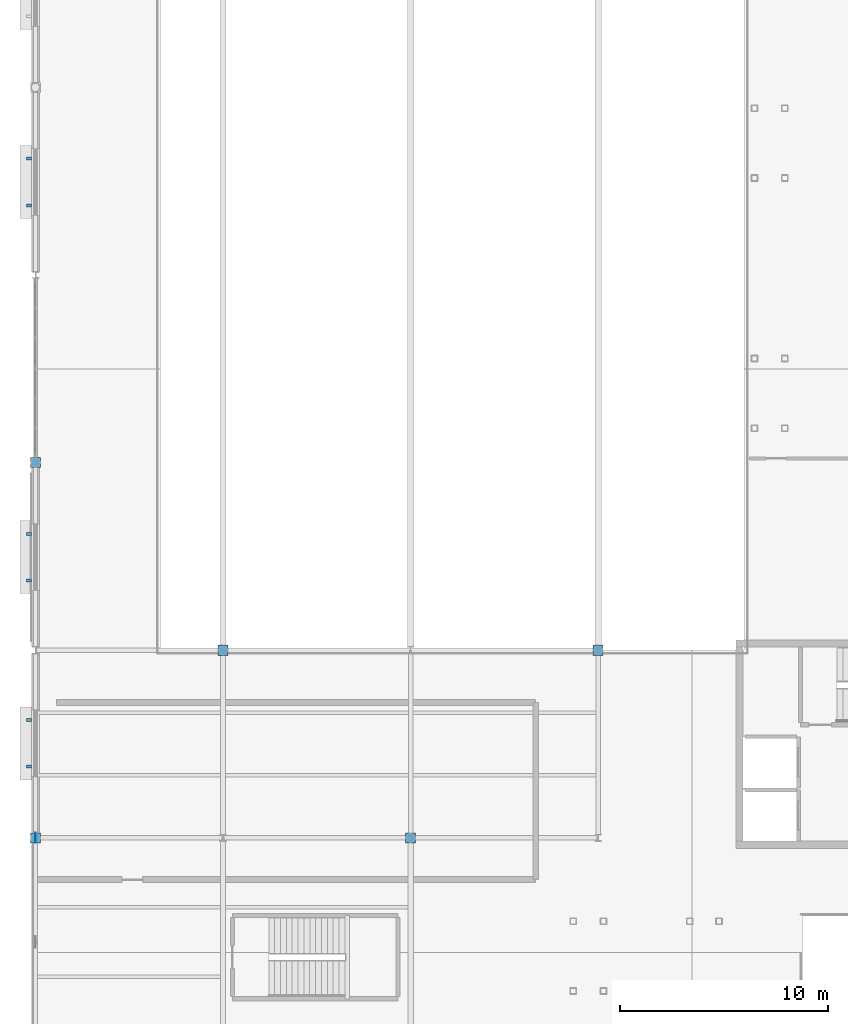
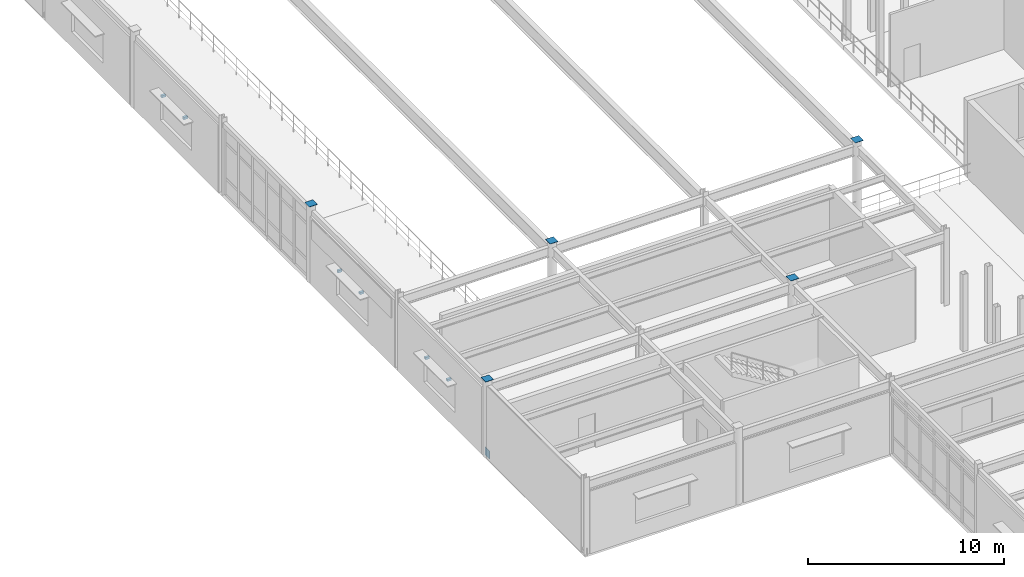
# One storey, part 74 of 86: 12 discrete accessories.
"""IFC4 building model written with IfcOpenShell, lengths in metres."""

import ifcopenshell
import ifcopenshell.guid

model = None  # the IFC model being written
_history = None  # IfcOwnerHistory: only IFC2X3 demands one
_inside = {}  # id of a spatial element -> (the spatial element, [elements in it])
_under = {}  # id of a project, library or spatial element -> (it, [spatial elements below it])
_declared = {}  # id of a project -> (the project, [libraries it declares])
_typed = {}  # id of a type object -> (the type object, [elements of that type])
_made_of = {}  # id of a material, layer set ... -> (it, [elements and type objects made of it])


def new_model(schema):
    """Start an empty IFC model of exactly this schema.

    Asked for "IFC4X3", IfcOpenShell would pick the latest addendum, in which some entities
    have other attributes; the version numbers below select the first issue.
    IFC2X3 requires an IfcOwnerHistory on every rooted entity: one is made here for all.
    """
    global model, _history
    if schema == "IFC4X3":
        model = ifcopenshell.file(schema_version=(4, 3, 0, 0))
    else:
        model = ifcopenshell.file(schema=schema)
    _inside.clear()
    _under.clear()
    _declared.clear()
    _typed.clear()
    _made_of.clear()
    _history = None
    if model.schema == "IFC2X3":
        org = make("IfcOrganization", Name="unknown")
        user = make(
            "IfcPersonAndOrganization",
            ThePerson=make("IfcPerson", FamilyName="unknown"),
            TheOrganization=org,
        )
        app = make(
            "IfcApplication",
            ApplicationDeveloper=org,
            Version="unknown",
            ApplicationFullName="unknown",
            ApplicationIdentifier="unknown",
        )
        _history = make(
            "IfcOwnerHistory",
            OwningUser=user,
            OwningApplication=app,
            ChangeAction="ADDED",
            CreationDate=0,
        )
    return model


def make(cls, **values):
    """One entity of the class cls with the attributes given. An attribute that is None is left unset."""
    return model.create_entity(
        cls, **{name: value for name, value in values.items() if value is not None}
    )


def rooted(cls, **values):
    """An entity with a GlobalId (a new one), such as an element, a storey or a relation."""
    return make(cls, GlobalId=ifcopenshell.guid.new(), OwnerHistory=_history, **values)


def si_unit(unit_type, name, prefix=None):
    """IfcSIUnit, for example si_unit("LENGTHUNIT", "METRE", prefix="MILLI")."""
    return make("IfcSIUnit", UnitType=unit_type, Prefix=prefix, Name=name)


def assignment(units):
    """IfcUnitAssignment: the units of a project."""
    return None if units is None else make("IfcUnitAssignment", Units=units)


def point(xyz):
    """IfcCartesianPoint."""
    return None if xyz is None else make("IfcCartesianPoint", Coordinates=xyz)


def direction(xyz):
    """IfcDirection."""
    return None if xyz is None else make("IfcDirection", DirectionRatios=xyz)


def frame(location, z_axis=None, x_axis=None):
    """IfcAxis2Placement3D, a coordinate frame: its origin and axes. An axis left out is left unset."""
    return make(
        "IfcAxis2Placement3D",
        Location=point(location),
        Axis=direction(z_axis),
        RefDirection=direction(x_axis),
    )


def frame_2d(location, x_axis=None):
    """IfcAxis2Placement2D, a coordinate frame in the plane: its origin and x axis."""
    return make(
        "IfcAxis2Placement2D", Location=point(location), RefDirection=direction(x_axis)
    )


def origin():
    """The frame at (0, 0, 0) with its axes left unset."""
    return frame((0.0, 0.0, 0.0))


def origin_2d():
    """The frame at (0, 0) in the plane with its x axis left unset."""
    return frame_2d((0.0, 0.0))


def place(relative_to, where):
    """IfcLocalPlacement: puts the frame where relative to a parent placement (None: the world)."""
    return make(
        "IfcLocalPlacement", PlacementRelTo=relative_to, RelativePlacement=where
    )


def context(
    kind, dimensions, precision=None, world=None, true_north=None, identifier=None
):
    """IfcGeometricRepresentationContext, for example the 3D "Model" context."""
    return make(
        "IfcGeometricRepresentationContext",
        ContextIdentifier=identifier,
        ContextType=kind,
        CoordinateSpaceDimension=dimensions,
        Precision=precision,
        WorldCoordinateSystem=world,
        TrueNorth=true_north,
    )


def subcontext(parent, identifier, kind, view, scale=None):
    """IfcGeometricRepresentationSubContext, for example "Body" below "Model"."""
    return make(
        "IfcGeometricRepresentationSubContext",
        ContextIdentifier=identifier,
        ContextType=kind,
        ParentContext=parent,
        TargetScale=scale,
        TargetView=view,
    )


def project(units=None, contexts=None):
    """IfcProject with its units and contexts."""
    return rooted(
        "IfcProject",
        Name="project",
        RepresentationContexts=contexts,
        UnitsInContext=assignment(units),
    )


def spatial(cls, under=None, at=None, **own):
    """A site, building, storey or space (cls), placed at a placement, below another one or the project."""
    s = rooted(cls, ObjectPlacement=at, **own)
    if under is not None:
        _under.setdefault(under.id(), (under, []))[1].append(s)
    return s


def profile(cls, at=None, kind="AREA", **sizes):
    """A parametric profile (cls). Its sizes go by their IFC names, for example OverallWidth=200.0."""
    return make(cls, ProfileType=kind, Position=at, **sizes)


def rectangle(**sizes):
    """IfcRectangleProfileDef."""
    return profile("IfcRectangleProfileDef", **sizes)


def extrude(swept, where, along, depth):
    """IfcExtrudedAreaSolid: the profile swept, set in the frame where, extruded along a direction by depth."""
    return make(
        "IfcExtrudedAreaSolid",
        SweptArea=swept,
        Position=where,
        ExtrudedDirection=direction(along),
        Depth=depth,
    )


def shape(context_of_items, identifier, shape_type, items):
    """IfcShapeRepresentation: the items that make up one representation, for example the "Body"."""
    return make(
        "IfcShapeRepresentation",
        ContextOfItems=context_of_items,
        RepresentationIdentifier=identifier,
        RepresentationType=shape_type,
        Items=items,
    )


def material(Name=None, Category=None):
    """IfcMaterial."""
    return make("IfcMaterial", Name=Name, Category=Category)


def made_of(thing, what):
    """Note that an element or type object is made of a material, layer set ...; save() writes the relation."""
    if what is not None:
        _made_of.setdefault(what.id(), (what, []))[1].append(thing)
    return thing


def type_object(cls, material=None, **own):
    """A type object (cls), such as IfcWallType, which elements share."""
    return made_of(rooted(cls, **own), material)


def element(
    cls,
    number,
    at=None,
    inside=None,
    cuts=None,
    type_object=None,
    material=None,
    context=None,
    identifier="Body",
    shape_type=None,
    held_by="IfcProductDefinitionShape",
    body=None,
    shapes=None,
    **own,
):
    """One element of the class cls, such as IfcWall. Its Tag is "e" and its number.

    at: its placement. inside: the storey or other place that contains it. cuts: it is an
    opening in that element (IfcRelVoidsElement). A single representation is given by context,
    identifier, shape_type and body (its items); several are given by shapes. held_by: the class
    of the entity that holds the representations. save() writes the other relations.
    """
    e = rooted(cls, Tag="e%d" % number, ObjectPlacement=at, **own)
    if body is not None:
        shapes = [shape(context, identifier, shape_type, body)]
    if shapes is not None:
        e.Representation = make(held_by, Representations=shapes)
    if inside is not None:
        _inside.setdefault(inside.id(), (inside, []))[1].append(e)
    if cuts is not None:
        rooted(
            "IfcRelVoidsElement", RelatingBuildingElement=cuts, RelatedOpeningElement=e
        )
    if type_object is not None:
        _typed.setdefault(type_object.id(), (type_object, []))[1].append(e)
    return made_of(e, material)


def aggregate(whole, parts):
    """IfcRelAggregates: a whole, such as a stair, and the parts it consists of."""
    return rooted("IfcRelAggregates", RelatingObject=whole, RelatedObjects=parts)


def save(model, path):
    """Write the relations noted so far, then the file.

    IfcRelAggregates (storeys below a building ...), IfcRelContainedInSpatialStructure (elements
    in a storey), IfcRelDefinesByType, IfcRelAssociatesMaterial and IfcRelDeclares: one each for
    every whole, place, type object, material and project.
    """
    for whole, parts in _under.values():
        aggregate(whole, parts)
    for where, things in _inside.values():
        rooted(
            "IfcRelContainedInSpatialStructure",
            RelatedElements=things,
            RelatingStructure=where,
        )
    for kind, things in _typed.values():
        rooted("IfcRelDefinesByType", RelatedObjects=things, RelatingType=kind)
    for what, things in _made_of.values():
        rooted("IfcRelAssociatesMaterial", RelatedObjects=things, RelatingMaterial=what)
    for by, libraries in _declared.values():
        rooted("IfcRelDeclares", RelatingContext=by, RelatedDefinitions=libraries)
    model.write(path)


model = new_model("IFC4")

# Units and contexts
model_context = context("Model", 3, precision=1e-05, world=origin(), true_north=direction((0.0, 1.0)))
body_context = subcontext(model_context, "Body", "Model", "MODEL_VIEW")
ifc_project = project(units=[si_unit("LENGTHUNIT", "METRE"), si_unit("AREAUNIT", "SQUARE_METRE"), si_unit("VOLUMEUNIT", "CUBIC_METRE"), si_unit("PLANEANGLEUNIT", "RADIAN"), si_unit("MASSUNIT", "GRAM", prefix="KILO")], contexts=[model_context])

# Site, building, storey
site_placement = place(None, origin())
site = spatial("IfcSite", under=ifc_project, at=site_placement, CompositionType="ELEMENT")
building_placement = place(site_placement, origin())
building = spatial("IfcBuilding", under=site, at=building_placement, Name="Glasvene Arena", CompositionType="ELEMENT")
storey_placement = place(building_placement, frame((0.0, 0.0, 5.39990234375)))
storey = spatial("IfcBuildingStorey", under=building, at=storey_placement, Name="L01", CompositionType="ELEMENT", Elevation=5.39990234375)

# Discrete accessories
ifc_material_1 = material(Name="Steel S355J2", Category="steel")
discrete_accessory_type_1 = type_object("IfcDiscreteAccessoryType", Name="ACC-BRACE-GP20", PredefinedType="BRACKET", material=ifc_material_1)
discrete_accessory_placement = place(storey_placement, frame((0.0, 64.0, -0.06982421875), z_axis=(0.0, 0.0, 1.0), x_axis=(1.0, 0.0, 0.0)))
element("IfcDiscreteAccessory", 1, at=discrete_accessory_placement, inside=storey, type_object=discrete_accessory_type_1, Name="Chevron brace base gusset plate L01-012-B", PredefinedType="BRACKET", context=body_context, shape_type="SweptSolid", body=[
    extrude(rectangle(XDim=0.02001953125, YDim=0.47998046875, at=origin_2d()), origin(), (0.0, 0.0, 1.0), 0.47998046875),
])
discrete_accessory_type_2 = type_object("IfcDiscreteAccessoryType", Name="ACC-CAP-CHS420", PredefinedType="USERDEFINED", material=ifc_material_1)
for number, where, z_axis, x_axis, name in (
    (2, (0.0, 64.0, 4.798095703125), (0.0, 0.0, 1.0), (1.0, 0.0, 0.0), "Hollow column top cap plate 1-8 L01"),
    (3, (0.0, 82.0, 4.798095703125), (0.0, 0.0, 1.0), (1.0, 0.0, 0.0), "Hollow column top cap plate 1-10 L01"),
    (4, (9.0, 73.0, 4.798095703125), (0.0, 0.0, 1.0), (1.0, 0.0, 0.0), "Hollow column top cap plate 2-9 L01"),
    (5, (18.0, 64.0, 4.798095703125), (0.0, 0.0, 1.0), (1.0, 0.0, 0.0), "Hollow column top cap plate 3-8 L01"),
    (6, (27.0, 73.0, 4.798095703125), (0.0, 0.0, 1.0), (1.0, 0.0, 0.0), "Hollow column top cap plate 4-9 L01"),
):
    element("IfcDiscreteAccessory", number, at=place(storey_placement, frame(where, z_axis=z_axis, x_axis=x_axis)), inside=storey, type_object=discrete_accessory_type_2, Name=name, ObjectType="CAP PLATE", PredefinedType="USERDEFINED", context=body_context, shape_type="SweptSolid", body=[
        extrude(rectangle(XDim=0.47998046875, YDim=0.47998046875, at=origin_2d()), origin(), (0.0, 0.0, 1.0), 0.02001953125),
    ])
ifc_material_2 = material(Name="Warm bronze architectural aluminium", Category="aluminium")
discrete_accessory_type_3 = type_object("IfcDiscreteAccessoryType", Name="ACC-FIN-BRK", PredefinedType="BRACKET", material=ifc_material_2)
for number, where, z_axis, x_axis, name in (
    (7, (-0.300048828125, 67.4140625, 2.72021484375), (0.0, 0.0, 1.0), (0.0, 1.0, 0.0), "Brise-soleil wall bracket BK-040"),
    (8, (-0.300048828125, 69.654052734375, 2.72021484375), (0.0, 0.0, 1.0), (0.0, 1.0, 0.0), "Brise-soleil wall bracket BK-040"),
    (9, (-0.300048828125, 76.345947265625, 2.72021484375), (0.0, 0.0, 1.0), (0.0, 1.0, 0.0), "Brise-soleil wall bracket BK-041"),
    (10, (-0.300048828125, 78.5859375, 2.72021484375), (0.0, 0.0, 1.0), (0.0, 1.0, 0.0), "Brise-soleil wall bracket BK-041"),
    (11, (-0.300048828125, 94.345947265625, 2.72021484375), (0.0, 0.0, 1.0), (0.0, 1.0, 0.0), "Brise-soleil wall bracket BK-042"),
    (12, (-0.300048828125, 96.5859375, 2.72021484375), (0.0, 0.0, 1.0), (0.0, 1.0, 0.0), "Brise-soleil wall bracket BK-042"),
):
    element("IfcDiscreteAccessory", number, at=place(storey_placement, frame(where, z_axis=z_axis, x_axis=x_axis)), inside=storey, type_object=discrete_accessory_type_3, Name=name, PredefinedType="BRACKET", context=body_context, shape_type="SweptSolid", body=[
        extrude(rectangle(XDim=0.139892578125, YDim=0.239990234375, at=origin_2d()), origin(), (0.0, 0.0, 1.0), 0.139892578125),
    ])

save(model, "model.ifc")
